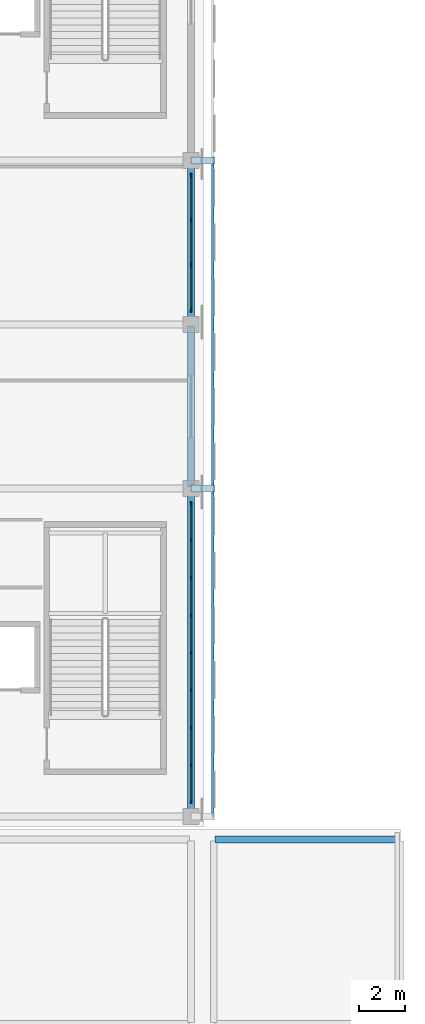
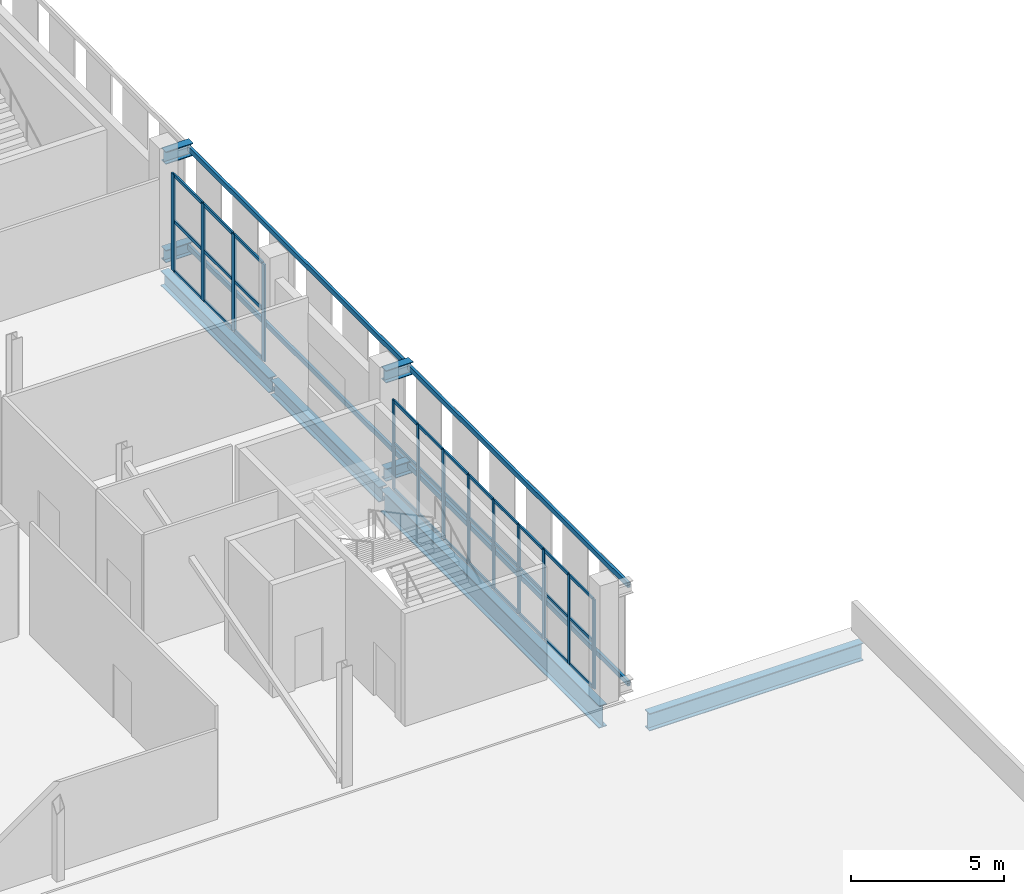
# One storey, part 39 of 104: 50 members, 8 beams, 2 elements without a shape of their own.
"""IFC4 building model written with IfcOpenShell, lengths in metres."""

from ifc_helpers import new_model, si_unit, direction, frame, origin, origin_2d, place, context, subcontext, project, spatial, rectangle, hollow_rectangle, i_section, extrude, material, material_profile, profile_set, type_object, element, aggregate, save


model = new_model("IFC4")

# Units and contexts
model_context = context("Model", 3, precision=1e-05, world=origin(), true_north=direction((0.0, 1.0)))
body_context = subcontext(model_context, "Body", "Model", "MODEL_VIEW")
ifc_project = project(units=[si_unit("LENGTHUNIT", "METRE"), si_unit("AREAUNIT", "SQUARE_METRE"), si_unit("VOLUMEUNIT", "CUBIC_METRE"), si_unit("PLANEANGLEUNIT", "RADIAN"), si_unit("MASSUNIT", "GRAM", prefix="KILO")], contexts=[model_context])

# Site, building, storey
site_placement = place(None, origin())
site = spatial("IfcSite", under=ifc_project, at=site_placement, CompositionType="ELEMENT")
building_placement = place(site_placement, origin())
building = spatial("IfcBuilding", under=site, at=building_placement, Name="Koshinbarg Plaza Stadium", CompositionType="ELEMENT")
storey_placement = place(building_placement, frame((0.0, 0.0, 19.800048828125)))
storey = spatial("IfcBuildingStorey", under=building, at=storey_placement, Name="L04", CompositionType="ELEMENT", Elevation=19.800048828125)

# Beams
ifc_material_1 = material(Name="Steel S355", Category="steel")
ifc_material_profile_1 = material_profile(ifc_material_1, i_section(OverallWidth=0.300048828125, OverallDepth=0.5, WebThickness=0.014404296875, FlangeThickness=0.028076171875, at=origin_2d()), Name="HEB 500")
ifc_profile_set_1 = profile_set([ifc_material_profile_1], Name="Steel S355")
beam_type_1 = type_object("IfcBeamType", Name="BM-CANOPY-CANT", PredefinedType="BEAM", material=ifc_profile_set_1)
for number, where, z_axis, x_axis, name in (
    (1, (218.39990234375, 39.89990234375, 0.25), (1.0, 0.0, 0.0), (0.0, 1.0, 0.0), "Outer screen cantilever outrigger E-L04-Y02"),
    (2, (218.39990234375, 39.89990234375, 4.179931640625), (1.0, 0.0, 0.0), (0.0, 1.0, 0.0), "Outer screen cantilever outrigger E-L04-Y02"),
    (3, (218.39990234375, 54.300048828125, 0.25), (1.0, 0.0, 0.0), (0.0, 1.0, 0.0), "Outer screen cantilever outrigger E-L04-Y03"),
    (4, (218.39990234375, 54.300048828125, 4.179931640625), (1.0, 0.0, 0.0), (0.0, 1.0, 0.0), "Outer screen cantilever outrigger E-L04-Y03"),
):
    element("IfcBeam", number, at=place(storey_placement, frame(where, z_axis=z_axis, x_axis=x_axis)), inside=storey, type_object=beam_type_1, Name=name, PredefinedType="BEAM", context=body_context, shape_type="SweptSolid", body=[
        extrude(i_section(OverallWidth=0.300048828125, OverallDepth=0.5, WebThickness=0.014404296875, FlangeThickness=0.028076171875, at=origin_2d()), origin(), (0.0, 0.0, 1.0), 1.030029296875),
    ])
ifc_material_profile_2 = material_profile(ifc_material_1, i_section(OverallWidth=0.300048828125, OverallDepth=0.60009765625, WebThickness=0.015380859375, FlangeThickness=0.030029296875, at=origin_2d()), Name="HEB 600")
ifc_profile_set_2 = profile_set([ifc_material_profile_2], Name="Steel S355")
beam_type_2 = type_object("IfcBeamType", Name="BM-SGIR-02", PredefinedType="USERDEFINED", material=ifc_profile_set_2)
for number, where, z_axis, x_axis, name in (
    (5, (218.39990234375, 39.9599609375, -0.60009765625), (0.0, 1.0, 0.0), (-1.0, 0.0, 0.0), "L04 Y girder 21/F-G"),
    (6, (218.39990234375, 47.159912109375, -0.60009765625), (0.0, 1.0, 0.0), (-1.0, 0.0, 0.0), "L04 Y girder 21/G-H"),
):
    element("IfcBeam", number, at=place(storey_placement, frame(where, z_axis=z_axis, x_axis=x_axis)), inside=storey, type_object=beam_type_2, Name=name, ObjectType="GIRDER", PredefinedType="USERDEFINED", context=body_context, shape_type="SweptSolid", body=[
        extrude(i_section(OverallWidth=0.300048828125, OverallDepth=0.60009765625, WebThickness=0.015380859375, FlangeThickness=0.030029296875, at=origin_2d()), origin(), (0.0, 0.0, 1.0), 7.080078125),
    ])
ifc_material_profile_3 = material_profile(ifc_material_1, i_section(OverallWidth=0.300048828125, OverallDepth=0.699951171875, WebThickness=0.01708984375, FlangeThickness=0.031982421875, at=origin_2d()), Name="HEB 700")
ifc_profile_set_3 = profile_set([ifc_material_profile_3], Name="Steel S355")
beam_type_3 = type_object("IfcBeamType", Name="BM-SGIR-03", PredefinedType="USERDEFINED", material=ifc_profile_set_3)
beam_1_placement = place(storey_placement, frame((219.4599609375, 24.5, -0.650146484375), z_axis=(1.0, 0.0, 0.0), x_axis=(0.0, 1.0, 0.0)))
element("IfcBeam", 7, at=beam_1_placement, inside=storey, type_object=beam_type_3, Name="L04 X girder D/22-23", ObjectType="GIRDER", PredefinedType="USERDEFINED", context=body_context, shape_type="SweptSolid", body=[
    extrude(i_section(OverallWidth=0.300048828125, OverallDepth=0.699951171875, WebThickness=0.01708984375, FlangeThickness=0.031982421875, at=origin_2d()), origin(), (0.0, 0.0, 1.0), 8.080078125),
])
ifc_material_profile_4 = material_profile(ifc_material_1, i_section(OverallWidth=0.300048828125, OverallDepth=0.89990234375, WebThickness=0.0185546875, FlangeThickness=0.034912109375, at=origin_2d()), Name="HEB 900")
ifc_profile_set_4 = profile_set([ifc_material_profile_4], Name="Steel S355")
beam_type_4 = type_object("IfcBeamType", Name="BM-SGIR-05", PredefinedType="USERDEFINED", material=ifc_profile_set_4)
beam_2_placement = place(storey_placement, frame((218.39990234375, 25.56005859375, -0.75), z_axis=(0.0, 1.0, 0.0), x_axis=(-1.0, 0.0, 0.0)))
element("IfcBeam", 8, at=beam_2_placement, inside=storey, type_object=beam_type_4, Name="L04 Y girder 21/E-F", ObjectType="GIRDER", PredefinedType="USERDEFINED", context=body_context, shape_type="SweptSolid", body=[
    extrude(i_section(OverallWidth=0.300048828125, OverallDepth=0.89990234375, WebThickness=0.0185546875, FlangeThickness=0.034912109375, at=origin_2d()), origin(), (0.0, 0.0, 1.0), 14.280029296875),
])

# Curtain wall, members
ifc_material_2 = material(Name="Thermally broken anodised aluminium and low-E double glazing", Category="aluminium")
curtain_wall_type_1 = type_object("IfcCurtainWallType", Name="CW-SYS-09", PredefinedType="NOTDEFINED", material=ifc_material_2)
curtain_wall_1_placement = place(storey_placement, origin())
curtain_wall_1 = element("IfcCurtainWall", 9, at=curtain_wall_1_placement, inside=storey, type_object=curtain_wall_type_1, Name="L04 unitised curtain wall CW-L04-104", PredefinedType="NOTDEFINED")
ifc_material_3 = material(Name="Anodised aluminium mullion", Category="aluminium")
ifc_material_profile_5 = material_profile(ifc_material_3, rectangle(XDim=0.06005859375, YDim=0.139892578125, at=origin_2d()), Name="ALU 60x140")
ifc_profile_set_5 = profile_set([ifc_material_profile_5], Name="Anodised aluminium mullion")
member_type_1 = type_object("IfcMemberType", Name="CW-MUL-01", PredefinedType="MULLION", material=ifc_profile_set_5)
member_1_placement = place(storey_placement, frame((218.39990234375, 39.25, 0.0), z_axis=(0.0, 0.0, 1.0), x_axis=(1.0, 0.0, 0.0)))
member_1 = element("IfcMember", 10, at=member_1_placement, type_object=member_type_1, Name="CW09 mullion 1", PredefinedType="MULLION", context=body_context, shape_type="SweptSolid", body=[
    extrude(rectangle(XDim=0.06005859375, YDim=0.139892578125, at=origin_2d()), origin(), (0.0, 0.0, 1.0), 3.579833984375),
])
member_2_placement = place(storey_placement, frame((218.39990234375, 37.635009765625, 0.0), z_axis=(0.0, 0.0, 1.0), x_axis=(1.0, 0.0, 0.0)))
member_2 = element("IfcMember", 11, at=member_2_placement, type_object=member_type_1, Name="CW09 mullion 2", PredefinedType="MULLION", context=body_context, shape_type="SweptSolid", body=[
    extrude(rectangle(XDim=0.06005859375, YDim=0.139892578125, at=origin_2d()), origin(), (0.0, 0.0, 1.0), 3.579833984375),
])
member_3_placement = place(storey_placement, frame((218.39990234375, 35.989990234375, 0.0), z_axis=(0.0, 0.0, 1.0), x_axis=(1.0, 0.0, 0.0)))
member_3 = element("IfcMember", 12, at=member_3_placement, type_object=member_type_1, Name="CW09 mullion 3", PredefinedType="MULLION", context=body_context, shape_type="SweptSolid", body=[
    extrude(rectangle(XDim=0.06005859375, YDim=0.139892578125, at=origin_2d()), origin(), (0.0, 0.0, 1.0), 3.579833984375),
])
member_4_placement = place(storey_placement, frame((218.39990234375, 34.344970703125, 0.0), z_axis=(0.0, 0.0, 1.0), x_axis=(1.0, 0.0, 0.0)))
member_4 = element("IfcMember", 13, at=member_4_placement, type_object=member_type_1, Name="CW09 mullion 4", PredefinedType="MULLION", context=body_context, shape_type="SweptSolid", body=[
    extrude(rectangle(XDim=0.06005859375, YDim=0.139892578125, at=origin_2d()), origin(), (0.0, 0.0, 1.0), 3.579833984375),
])
member_5_placement = place(storey_placement, frame((218.39990234375, 32.699951171875, 0.0), z_axis=(0.0, 0.0, 1.0), x_axis=(1.0, 0.0, 0.0)))
member_5 = element("IfcMember", 14, at=member_5_placement, type_object=member_type_1, Name="CW09 mullion 5", PredefinedType="MULLION", context=body_context, shape_type="SweptSolid", body=[
    extrude(rectangle(XDim=0.06005859375, YDim=0.139892578125, at=origin_2d()), origin(), (0.0, 0.0, 1.0), 3.579833984375),
])
member_6_placement = place(storey_placement, frame((218.39990234375, 31.054931640625, 0.0), z_axis=(0.0, 0.0, 1.0), x_axis=(1.0, 0.0, 0.0)))
member_6 = element("IfcMember", 15, at=member_6_placement, type_object=member_type_1, Name="CW09 mullion 6", PredefinedType="MULLION", context=body_context, shape_type="SweptSolid", body=[
    extrude(rectangle(XDim=0.06005859375, YDim=0.139892578125, at=origin_2d()), origin(), (0.0, 0.0, 1.0), 3.579833984375),
])
member_7_placement = place(storey_placement, frame((218.39990234375, 29.409912109375, 0.0), z_axis=(0.0, 0.0, 1.0), x_axis=(1.0, 0.0, 0.0)))
member_7 = element("IfcMember", 16, at=member_7_placement, type_object=member_type_1, Name="CW09 mullion 7", PredefinedType="MULLION", context=body_context, shape_type="SweptSolid", body=[
    extrude(rectangle(XDim=0.06005859375, YDim=0.139892578125, at=origin_2d()), origin(), (0.0, 0.0, 1.0), 3.579833984375),
])
member_8_placement = place(storey_placement, frame((218.39990234375, 27.764892578125, 0.0), z_axis=(0.0, 0.0, 1.0), x_axis=(1.0, 0.0, 0.0)))
member_8 = element("IfcMember", 17, at=member_8_placement, type_object=member_type_1, Name="CW09 mullion 8", PredefinedType="MULLION", context=body_context, shape_type="SweptSolid", body=[
    extrude(rectangle(XDim=0.06005859375, YDim=0.139892578125, at=origin_2d()), origin(), (0.0, 0.0, 1.0), 3.579833984375),
])
member_9_placement = place(storey_placement, frame((218.39990234375, 26.14990234375, 0.0), z_axis=(0.0, 0.0, 1.0), x_axis=(1.0, 0.0, 0.0)))
member_9 = element("IfcMember", 18, at=member_9_placement, type_object=member_type_1, Name="CW09 mullion 9", PredefinedType="MULLION", context=body_context, shape_type="SweptSolid", body=[
    extrude(rectangle(XDim=0.06005859375, YDim=0.139892578125, at=origin_2d()), origin(), (0.0, 0.0, 1.0), 3.579833984375),
])

curtain_wall_type_2 = type_object("IfcCurtainWallType", Name="CW-SYS-08", PredefinedType="NOTDEFINED", material=ifc_material_2)
curtain_wall_2_placement = place(storey_placement, origin())
curtain_wall_2 = element("IfcCurtainWall", 19, at=curtain_wall_2_placement, inside=storey, type_object=curtain_wall_type_2, Name="L04 unitised curtain wall CW-L04-103", PredefinedType="NOTDEFINED")
ifc_material_profile_6 = material_profile(ifc_material_3, rectangle(XDim=0.070068359375, YDim=0.199951171875, at=origin_2d()), Name="ALU 70x200")
ifc_profile_set_6 = profile_set([ifc_material_profile_6], Name="Anodised aluminium mullion")
member_type_2 = type_object("IfcMemberType", Name="CW-MUL-04", PredefinedType="MULLION", material=ifc_profile_set_6)
member_10_placement = place(storey_placement, frame((218.39990234375, 53.64990234375, 0.0), z_axis=(0.0, 0.0, 1.0), x_axis=(1.0, 0.0, 0.0)))
member_10 = element("IfcMember", 20, at=member_10_placement, type_object=member_type_2, Name="CW08 mullion 1", PredefinedType="MULLION", context=body_context, shape_type="SweptSolid", body=[
    extrude(rectangle(XDim=0.070068359375, YDim=0.199951171875, at=origin_2d()), origin(), (0.0, 0.0, 1.0), 3.8798828125),
])
member_11_placement = place(storey_placement, frame((218.39990234375, 51.693359375, 0.0), z_axis=(0.0, 0.0, 1.0), x_axis=(1.0, 0.0, 0.0)))
member_11 = element("IfcMember", 21, at=member_11_placement, type_object=member_type_2, Name="CW08 mullion 2", PredefinedType="MULLION", context=body_context, shape_type="SweptSolid", body=[
    extrude(rectangle(XDim=0.070068359375, YDim=0.199951171875, at=origin_2d()), origin(), (0.0, 0.0, 1.0), 3.8798828125),
])
member_12_placement = place(storey_placement, frame((218.39990234375, 49.706787109375, 0.0), z_axis=(0.0, 0.0, 1.0), x_axis=(1.0, 0.0, 0.0)))
member_12 = element("IfcMember", 22, at=member_12_placement, type_object=member_type_2, Name="CW08 mullion 3", PredefinedType="MULLION", context=body_context, shape_type="SweptSolid", body=[
    extrude(rectangle(XDim=0.070068359375, YDim=0.199951171875, at=origin_2d()), origin(), (0.0, 0.0, 1.0), 3.8798828125),
])
member_13_placement = place(storey_placement, frame((218.39990234375, 47.75, 0.0), z_axis=(0.0, 0.0, 1.0), x_axis=(1.0, 0.0, 0.0)))
member_13 = element("IfcMember", 23, at=member_13_placement, type_object=member_type_2, Name="CW08 mullion 4", PredefinedType="MULLION", context=body_context, shape_type="SweptSolid", body=[
    extrude(rectangle(XDim=0.070068359375, YDim=0.199951171875, at=origin_2d()), origin(), (0.0, 0.0, 1.0), 3.8798828125),
])

# Member
ifc_material_4 = material(Name="Anodised aluminium transom", Category="aluminium")
ifc_material_profile_7 = material_profile(ifc_material_4, rectangle(XDim=0.06005859375, YDim=0.110107421875, at=origin_2d()), Name="ALU 60x110")
ifc_profile_set_7 = profile_set([ifc_material_profile_7], Name="Anodised aluminium transom")
member_type_3 = type_object("IfcMemberType", Name="CW-TRN-01", PredefinedType="USERDEFINED", material=ifc_profile_set_7)
member_14_placement = place(storey_placement, frame((218.39990234375, 39.219970703125, 0.030029296875), z_axis=(0.0, -1.0, 0.0), x_axis=(1.0, 0.0, 0.0)))
member_14 = element("IfcMember", 24, at=member_14_placement, type_object=member_type_3, Name="CW09 transom 1.1", ObjectType="TRANSOM", PredefinedType="USERDEFINED", context=body_context, shape_type="SweptSolid", body=[
    extrude(rectangle(XDim=0.06005859375, YDim=0.110107421875, at=origin_2d()), origin(), (0.0, 0.0, 1.0), 1.554931640625),
])

member_15_placement = place(storey_placement, frame((218.39990234375, 39.219970703125, 1.861572265625), z_axis=(0.0, -1.0, 0.0), x_axis=(1.0, 0.0, 0.0)))
member_15 = element("IfcMember", 25, at=member_15_placement, type_object=member_type_3, Name="CW09 transom 1.2", ObjectType="TRANSOM", PredefinedType="USERDEFINED", context=body_context, shape_type="SweptSolid", body=[
    extrude(rectangle(XDim=0.06005859375, YDim=0.110107421875, at=origin_2d()), origin(), (0.0, 0.0, 1.0), 1.554931640625),
])

member_16_placement = place(storey_placement, frame((218.39990234375, 39.219970703125, 3.550048828125), z_axis=(0.0, -1.0, 0.0), x_axis=(1.0, 0.0, 0.0)))
member_16 = element("IfcMember", 26, at=member_16_placement, type_object=member_type_3, Name="CW09 transom 1.3", ObjectType="TRANSOM", PredefinedType="USERDEFINED", context=body_context, shape_type="SweptSolid", body=[
    extrude(rectangle(XDim=0.06005859375, YDim=0.110107421875, at=origin_2d()), origin(), (0.0, 0.0, 1.0), 1.554931640625),
])

member_17_placement = place(storey_placement, frame((218.39990234375, 37.60498046875, 0.030029296875), z_axis=(0.0, -1.0, 0.0), x_axis=(1.0, 0.0, 0.0)))
member_17 = element("IfcMember", 27, at=member_17_placement, type_object=member_type_3, Name="CW09 transom 2.1", ObjectType="TRANSOM", PredefinedType="USERDEFINED", context=body_context, shape_type="SweptSolid", body=[
    extrude(rectangle(XDim=0.06005859375, YDim=0.110107421875, at=origin_2d()), origin(), (0.0, 0.0, 1.0), 1.5849609375),
])

member_18_placement = place(storey_placement, frame((218.39990234375, 37.60498046875, 1.861572265625), z_axis=(0.0, -1.0, 0.0), x_axis=(1.0, 0.0, 0.0)))
member_18 = element("IfcMember", 28, at=member_18_placement, type_object=member_type_3, Name="CW09 transom 2.2", ObjectType="TRANSOM", PredefinedType="USERDEFINED", context=body_context, shape_type="SweptSolid", body=[
    extrude(rectangle(XDim=0.06005859375, YDim=0.110107421875, at=origin_2d()), origin(), (0.0, 0.0, 1.0), 1.5849609375),
])

member_19_placement = place(storey_placement, frame((218.39990234375, 37.60498046875, 3.550048828125), z_axis=(0.0, -1.0, 0.0), x_axis=(1.0, 0.0, 0.0)))
member_19 = element("IfcMember", 29, at=member_19_placement, type_object=member_type_3, Name="CW09 transom 2.3", ObjectType="TRANSOM", PredefinedType="USERDEFINED", context=body_context, shape_type="SweptSolid", body=[
    extrude(rectangle(XDim=0.06005859375, YDim=0.110107421875, at=origin_2d()), origin(), (0.0, 0.0, 1.0), 1.5849609375),
])

member_20_placement = place(storey_placement, frame((218.39990234375, 35.9599609375, 0.030029296875), z_axis=(0.0, -1.0, 0.0), x_axis=(1.0, 0.0, 0.0)))
member_20 = element("IfcMember", 30, at=member_20_placement, type_object=member_type_3, Name="CW09 transom 3.1", ObjectType="TRANSOM", PredefinedType="USERDEFINED", context=body_context, shape_type="SweptSolid", body=[
    extrude(rectangle(XDim=0.06005859375, YDim=0.110107421875, at=origin_2d()), origin(), (0.0, 0.0, 1.0), 1.5849609375),
])

member_21_placement = place(storey_placement, frame((218.39990234375, 35.9599609375, 1.861572265625), z_axis=(0.0, -1.0, 0.0), x_axis=(1.0, 0.0, 0.0)))
member_21 = element("IfcMember", 31, at=member_21_placement, type_object=member_type_3, Name="CW09 transom 3.2", ObjectType="TRANSOM", PredefinedType="USERDEFINED", context=body_context, shape_type="SweptSolid", body=[
    extrude(rectangle(XDim=0.06005859375, YDim=0.110107421875, at=origin_2d()), origin(), (0.0, 0.0, 1.0), 1.5849609375),
])

member_22_placement = place(storey_placement, frame((218.39990234375, 35.9599609375, 3.550048828125), z_axis=(0.0, -1.0, 0.0), x_axis=(1.0, 0.0, 0.0)))
member_22 = element("IfcMember", 32, at=member_22_placement, type_object=member_type_3, Name="CW09 transom 3.3", ObjectType="TRANSOM", PredefinedType="USERDEFINED", context=body_context, shape_type="SweptSolid", body=[
    extrude(rectangle(XDim=0.06005859375, YDim=0.110107421875, at=origin_2d()), origin(), (0.0, 0.0, 1.0), 1.5849609375),
])

member_23_placement = place(storey_placement, frame((218.39990234375, 34.31494140625, 0.030029296875), z_axis=(0.0, -1.0, 0.0), x_axis=(1.0, 0.0, 0.0)))
member_23 = element("IfcMember", 33, at=member_23_placement, type_object=member_type_3, Name="CW09 transom 4.1", ObjectType="TRANSOM", PredefinedType="USERDEFINED", context=body_context, shape_type="SweptSolid", body=[
    extrude(rectangle(XDim=0.06005859375, YDim=0.110107421875, at=origin_2d()), origin(), (0.0, 0.0, 1.0), 1.5849609375),
])

member_24_placement = place(storey_placement, frame((218.39990234375, 34.31494140625, 1.861572265625), z_axis=(0.0, -1.0, 0.0), x_axis=(1.0, 0.0, 0.0)))
member_24 = element("IfcMember", 34, at=member_24_placement, type_object=member_type_3, Name="CW09 transom 4.2", ObjectType="TRANSOM", PredefinedType="USERDEFINED", context=body_context, shape_type="SweptSolid", body=[
    extrude(rectangle(XDim=0.06005859375, YDim=0.110107421875, at=origin_2d()), origin(), (0.0, 0.0, 1.0), 1.5849609375),
])

member_25_placement = place(storey_placement, frame((218.39990234375, 34.31494140625, 3.550048828125), z_axis=(0.0, -1.0, 0.0), x_axis=(1.0, 0.0, 0.0)))
member_25 = element("IfcMember", 35, at=member_25_placement, type_object=member_type_3, Name="CW09 transom 4.3", ObjectType="TRANSOM", PredefinedType="USERDEFINED", context=body_context, shape_type="SweptSolid", body=[
    extrude(rectangle(XDim=0.06005859375, YDim=0.110107421875, at=origin_2d()), origin(), (0.0, 0.0, 1.0), 1.5849609375),
])

member_26_placement = place(storey_placement, frame((218.39990234375, 32.669921875, 0.030029296875), z_axis=(0.0, -1.0, 0.0), x_axis=(1.0, 0.0, 0.0)))
member_26 = element("IfcMember", 36, at=member_26_placement, type_object=member_type_3, Name="CW09 transom 5.1", ObjectType="TRANSOM", PredefinedType="USERDEFINED", context=body_context, shape_type="SweptSolid", body=[
    extrude(rectangle(XDim=0.06005859375, YDim=0.110107421875, at=origin_2d()), origin(), (0.0, 0.0, 1.0), 1.5849609375),
])

member_27_placement = place(storey_placement, frame((218.39990234375, 32.669921875, 1.861572265625), z_axis=(0.0, -1.0, 0.0), x_axis=(1.0, 0.0, 0.0)))
member_27 = element("IfcMember", 37, at=member_27_placement, type_object=member_type_3, Name="CW09 transom 5.2", ObjectType="TRANSOM", PredefinedType="USERDEFINED", context=body_context, shape_type="SweptSolid", body=[
    extrude(rectangle(XDim=0.06005859375, YDim=0.110107421875, at=origin_2d()), origin(), (0.0, 0.0, 1.0), 1.5849609375),
])

member_28_placement = place(storey_placement, frame((218.39990234375, 32.669921875, 3.550048828125), z_axis=(0.0, -1.0, 0.0), x_axis=(1.0, 0.0, 0.0)))
member_28 = element("IfcMember", 38, at=member_28_placement, type_object=member_type_3, Name="CW09 transom 5.3", ObjectType="TRANSOM", PredefinedType="USERDEFINED", context=body_context, shape_type="SweptSolid", body=[
    extrude(rectangle(XDim=0.06005859375, YDim=0.110107421875, at=origin_2d()), origin(), (0.0, 0.0, 1.0), 1.5849609375),
])

member_29_placement = place(storey_placement, frame((218.39990234375, 31.02490234375, 0.030029296875), z_axis=(0.0, -1.0, 0.0), x_axis=(1.0, 0.0, 0.0)))
member_29 = element("IfcMember", 39, at=member_29_placement, type_object=member_type_3, Name="CW09 transom 6.1", ObjectType="TRANSOM", PredefinedType="USERDEFINED", context=body_context, shape_type="SweptSolid", body=[
    extrude(rectangle(XDim=0.06005859375, YDim=0.110107421875, at=origin_2d()), origin(), (0.0, 0.0, 1.0), 1.5849609375),
])

member_30_placement = place(storey_placement, frame((218.39990234375, 31.02490234375, 1.861572265625), z_axis=(0.0, -1.0, 0.0), x_axis=(1.0, 0.0, 0.0)))
member_30 = element("IfcMember", 40, at=member_30_placement, type_object=member_type_3, Name="CW09 transom 6.2", ObjectType="TRANSOM", PredefinedType="USERDEFINED", context=body_context, shape_type="SweptSolid", body=[
    extrude(rectangle(XDim=0.06005859375, YDim=0.110107421875, at=origin_2d()), origin(), (0.0, 0.0, 1.0), 1.5849609375),
])

member_31_placement = place(storey_placement, frame((218.39990234375, 31.02490234375, 3.550048828125), z_axis=(0.0, -1.0, 0.0), x_axis=(1.0, 0.0, 0.0)))
member_31 = element("IfcMember", 41, at=member_31_placement, type_object=member_type_3, Name="CW09 transom 6.3", ObjectType="TRANSOM", PredefinedType="USERDEFINED", context=body_context, shape_type="SweptSolid", body=[
    extrude(rectangle(XDim=0.06005859375, YDim=0.110107421875, at=origin_2d()), origin(), (0.0, 0.0, 1.0), 1.5849609375),
])

member_32_placement = place(storey_placement, frame((218.39990234375, 29.3798828125, 0.030029296875), z_axis=(0.0, -1.0, 0.0), x_axis=(1.0, 0.0, 0.0)))
member_32 = element("IfcMember", 42, at=member_32_placement, type_object=member_type_3, Name="CW09 transom 7.1", ObjectType="TRANSOM", PredefinedType="USERDEFINED", context=body_context, shape_type="SweptSolid", body=[
    extrude(rectangle(XDim=0.06005859375, YDim=0.110107421875, at=origin_2d()), origin(), (0.0, 0.0, 1.0), 1.5849609375),
])

member_33_placement = place(storey_placement, frame((218.39990234375, 29.3798828125, 1.861572265625), z_axis=(0.0, -1.0, 0.0), x_axis=(1.0, 0.0, 0.0)))
member_33 = element("IfcMember", 43, at=member_33_placement, type_object=member_type_3, Name="CW09 transom 7.2", ObjectType="TRANSOM", PredefinedType="USERDEFINED", context=body_context, shape_type="SweptSolid", body=[
    extrude(rectangle(XDim=0.06005859375, YDim=0.110107421875, at=origin_2d()), origin(), (0.0, 0.0, 1.0), 1.5849609375),
])

member_34_placement = place(storey_placement, frame((218.39990234375, 29.3798828125, 3.550048828125), z_axis=(0.0, -1.0, 0.0), x_axis=(1.0, 0.0, 0.0)))
member_34 = element("IfcMember", 44, at=member_34_placement, type_object=member_type_3, Name="CW09 transom 7.3", ObjectType="TRANSOM", PredefinedType="USERDEFINED", context=body_context, shape_type="SweptSolid", body=[
    extrude(rectangle(XDim=0.06005859375, YDim=0.110107421875, at=origin_2d()), origin(), (0.0, 0.0, 1.0), 1.5849609375),
])

member_35_placement = place(storey_placement, frame((218.39990234375, 27.735107421875, 0.030029296875), z_axis=(0.0, -1.0, 0.0), x_axis=(1.0, 0.0, 0.0)))
member_35 = element("IfcMember", 45, at=member_35_placement, type_object=member_type_3, Name="CW09 transom 8.1", ObjectType="TRANSOM", PredefinedType="USERDEFINED", context=body_context, shape_type="SweptSolid", body=[
    extrude(rectangle(XDim=0.06005859375, YDim=0.110107421875, at=origin_2d()), origin(), (0.0, 0.0, 1.0), 1.55517578125),
])

member_36_placement = place(storey_placement, frame((218.39990234375, 27.735107421875, 1.861572265625), z_axis=(0.0, -1.0, 0.0), x_axis=(1.0, 0.0, 0.0)))
member_36 = element("IfcMember", 46, at=member_36_placement, type_object=member_type_3, Name="CW09 transom 8.2", ObjectType="TRANSOM", PredefinedType="USERDEFINED", context=body_context, shape_type="SweptSolid", body=[
    extrude(rectangle(XDim=0.06005859375, YDim=0.110107421875, at=origin_2d()), origin(), (0.0, 0.0, 1.0), 1.55517578125),
])

member_37_placement = place(storey_placement, frame((218.39990234375, 27.735107421875, 3.550048828125), z_axis=(0.0, -1.0, 0.0), x_axis=(1.0, 0.0, 0.0)))
member_37 = element("IfcMember", 47, at=member_37_placement, type_object=member_type_3, Name="CW09 transom 8.3", ObjectType="TRANSOM", PredefinedType="USERDEFINED", context=body_context, shape_type="SweptSolid", body=[
    extrude(rectangle(XDim=0.06005859375, YDim=0.110107421875, at=origin_2d()), origin(), (0.0, 0.0, 1.0), 1.55517578125),
])

aggregate(curtain_wall_1, [member_1, member_2, member_3, member_4, member_5, member_6, member_7, member_8, member_9, member_14, member_15, member_16, member_17, member_18, member_19, member_20, member_21, member_22, member_23, member_24, member_25, member_26, member_27, member_28, member_29, member_30, member_31, member_32, member_33, member_34, member_35, member_36, member_37])

ifc_material_profile_8 = material_profile(ifc_material_4, rectangle(XDim=0.06005859375, YDim=0.1298828125, at=origin_2d()), Name="ALU 60x130")
ifc_profile_set_8 = profile_set([ifc_material_profile_8], Name="Anodised aluminium transom")
member_type_4 = type_object("IfcMemberType", Name="CW-TRN-02", PredefinedType="USERDEFINED", material=ifc_profile_set_8)
member_38_placement = place(storey_placement, frame((218.39990234375, 53.6201171875, 0.030029296875), z_axis=(0.0, -1.0, 0.0), x_axis=(1.0, 0.0, 0.0)))
member_38 = element("IfcMember", 48, at=member_38_placement, type_object=member_type_4, Name="CW08 transom 1.1", ObjectType="TRANSOM", PredefinedType="USERDEFINED", context=body_context, shape_type="SweptSolid", body=[
    extrude(rectangle(XDim=0.06005859375, YDim=0.1298828125, at=origin_2d()), origin(), (0.0, 0.0, 1.0), 1.896728515625),
])

member_39_placement = place(storey_placement, frame((218.39990234375, 53.6201171875, 2.017578125), z_axis=(0.0, -1.0, 0.0), x_axis=(1.0, 0.0, 0.0)))
member_39 = element("IfcMember", 49, at=member_39_placement, type_object=member_type_4, Name="CW08 transom 1.2", ObjectType="TRANSOM", PredefinedType="USERDEFINED", context=body_context, shape_type="SweptSolid", body=[
    extrude(rectangle(XDim=0.06005859375, YDim=0.1298828125, at=origin_2d()), origin(), (0.0, 0.0, 1.0), 1.896728515625),
])

member_40_placement = place(storey_placement, frame((218.39990234375, 53.6201171875, 3.849853515625), z_axis=(0.0, -1.0, 0.0), x_axis=(1.0, 0.0, 0.0)))
member_40 = element("IfcMember", 50, at=member_40_placement, type_object=member_type_4, Name="CW08 transom 1.3", ObjectType="TRANSOM", PredefinedType="USERDEFINED", context=body_context, shape_type="SweptSolid", body=[
    extrude(rectangle(XDim=0.06005859375, YDim=0.1298828125, at=origin_2d()), origin(), (0.0, 0.0, 1.0), 1.896728515625),
])

member_41_placement = place(storey_placement, frame((218.39990234375, 51.663330078125, 0.030029296875), z_axis=(0.0, -1.0, 0.0), x_axis=(1.0, 0.0, 0.0)))
member_41 = element("IfcMember", 51, at=member_41_placement, type_object=member_type_4, Name="CW08 transom 2.1", ObjectType="TRANSOM", PredefinedType="USERDEFINED", context=body_context, shape_type="SweptSolid", body=[
    extrude(rectangle(XDim=0.06005859375, YDim=0.1298828125, at=origin_2d()), origin(), (0.0, 0.0, 1.0), 1.9267578125),
])

member_42_placement = place(storey_placement, frame((218.39990234375, 51.663330078125, 2.017578125), z_axis=(0.0, -1.0, 0.0), x_axis=(1.0, 0.0, 0.0)))
member_42 = element("IfcMember", 52, at=member_42_placement, type_object=member_type_4, Name="CW08 transom 2.2", ObjectType="TRANSOM", PredefinedType="USERDEFINED", context=body_context, shape_type="SweptSolid", body=[
    extrude(rectangle(XDim=0.06005859375, YDim=0.1298828125, at=origin_2d()), origin(), (0.0, 0.0, 1.0), 1.9267578125),
])

member_43_placement = place(storey_placement, frame((218.39990234375, 51.663330078125, 3.849853515625), z_axis=(0.0, -1.0, 0.0), x_axis=(1.0, 0.0, 0.0)))
member_43 = element("IfcMember", 53, at=member_43_placement, type_object=member_type_4, Name="CW08 transom 2.3", ObjectType="TRANSOM", PredefinedType="USERDEFINED", context=body_context, shape_type="SweptSolid", body=[
    extrude(rectangle(XDim=0.06005859375, YDim=0.1298828125, at=origin_2d()), origin(), (0.0, 0.0, 1.0), 1.9267578125),
])

member_44_placement = place(storey_placement, frame((218.39990234375, 49.6767578125, 0.030029296875), z_axis=(0.0, -1.0, 0.0), x_axis=(1.0, 0.0, 0.0)))
member_44 = element("IfcMember", 54, at=member_44_placement, type_object=member_type_4, Name="CW08 transom 3.1", ObjectType="TRANSOM", PredefinedType="USERDEFINED", context=body_context, shape_type="SweptSolid", body=[
    extrude(rectangle(XDim=0.06005859375, YDim=0.1298828125, at=origin_2d()), origin(), (0.0, 0.0, 1.0), 1.896728515625),
])

member_45_placement = place(storey_placement, frame((218.39990234375, 49.6767578125, 2.017578125), z_axis=(0.0, -1.0, 0.0), x_axis=(1.0, 0.0, 0.0)))
member_45 = element("IfcMember", 55, at=member_45_placement, type_object=member_type_4, Name="CW08 transom 3.2", ObjectType="TRANSOM", PredefinedType="USERDEFINED", context=body_context, shape_type="SweptSolid", body=[
    extrude(rectangle(XDim=0.06005859375, YDim=0.1298828125, at=origin_2d()), origin(), (0.0, 0.0, 1.0), 1.896728515625),
])

member_46_placement = place(storey_placement, frame((218.39990234375, 49.6767578125, 3.849853515625), z_axis=(0.0, -1.0, 0.0), x_axis=(1.0, 0.0, 0.0)))
member_46 = element("IfcMember", 56, at=member_46_placement, type_object=member_type_4, Name="CW08 transom 3.3", ObjectType="TRANSOM", PredefinedType="USERDEFINED", context=body_context, shape_type="SweptSolid", body=[
    extrude(rectangle(XDim=0.06005859375, YDim=0.1298828125, at=origin_2d()), origin(), (0.0, 0.0, 1.0), 1.896728515625),
])

aggregate(curtain_wall_2, [member_10, member_11, member_12, member_13, member_38, member_39, member_40, member_41, member_42, member_43, member_44, member_45, member_46])

# Members
ifc_material_profile_9 = material_profile(ifc_material_1, hollow_rectangle(XDim=0.10009765625, YDim=0.199951171875, WallThickness=0.008056640625, at=origin_2d()), Name="RHS 200x100x8")
ifc_profile_set_9 = profile_set([ifc_material_profile_9], Name="Steel S355")
member_type_5 = type_object("IfcMemberType", Name="MB-PURL-03", PredefinedType="PURLIN", material=ifc_profile_set_9)
for number, where, z_axis, x_axis, name in (
    (57, (219.35009765625, 25.5, 0.25), (0.0, 1.0, 0.0), (-1.0, 0.0, 0.0), "L04 outer screen subframe rail E-1-BOT"),
    (58, (219.35009765625, 25.5, 4.179931640625), (0.0, 1.0, 0.0), (-1.0, 0.0, 0.0), "L04 outer screen subframe rail E-1-TOP"),
):
    element("IfcMember", number, at=place(storey_placement, frame(where, z_axis=z_axis, x_axis=x_axis)), inside=storey, type_object=member_type_5, Name=name, PredefinedType="PURLIN", context=body_context, shape_type="SweptSolid", body=[
        extrude(hollow_rectangle(XDim=0.10009765625, YDim=0.199951171875, WallThickness=0.008056640625, at=origin_2d()), origin(), (0.0, 0.0, 1.0), 14.39990234375),
    ])
for number, where, z_axis, x_axis, name in (
    (59, (219.35009765625, 39.89990234375, 0.25), (0.0, 1.0, 0.0), (-1.0, 0.0, 0.0), "L04 outer screen subframe rail E-2-BOT"),
    (60, (219.35009765625, 39.89990234375, 4.179931640625), (0.0, 1.0, 0.0), (-1.0, 0.0, 0.0), "L04 outer screen subframe rail E-2-TOP"),
):
    element("IfcMember", number, at=place(storey_placement, frame(where, z_axis=z_axis, x_axis=x_axis)), inside=storey, type_object=member_type_5, Name=name, PredefinedType="PURLIN", context=body_context, shape_type="SweptSolid", body=[
        extrude(hollow_rectangle(XDim=0.10009765625, YDim=0.199951171875, WallThickness=0.008056640625, at=origin_2d()), origin(), (0.0, 0.0, 1.0), 14.400146484375),
    ])

save(model, "model.ifc")
